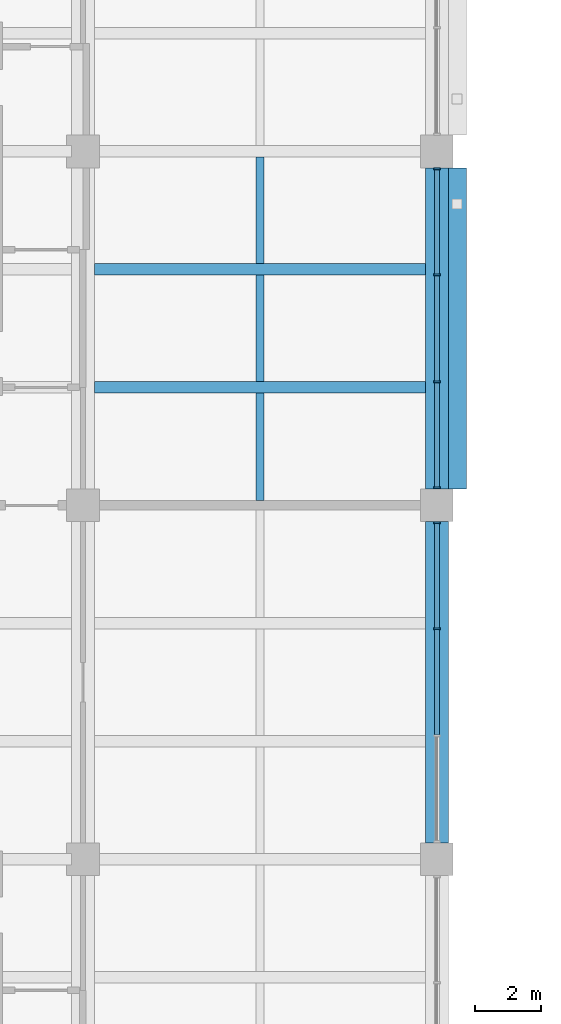
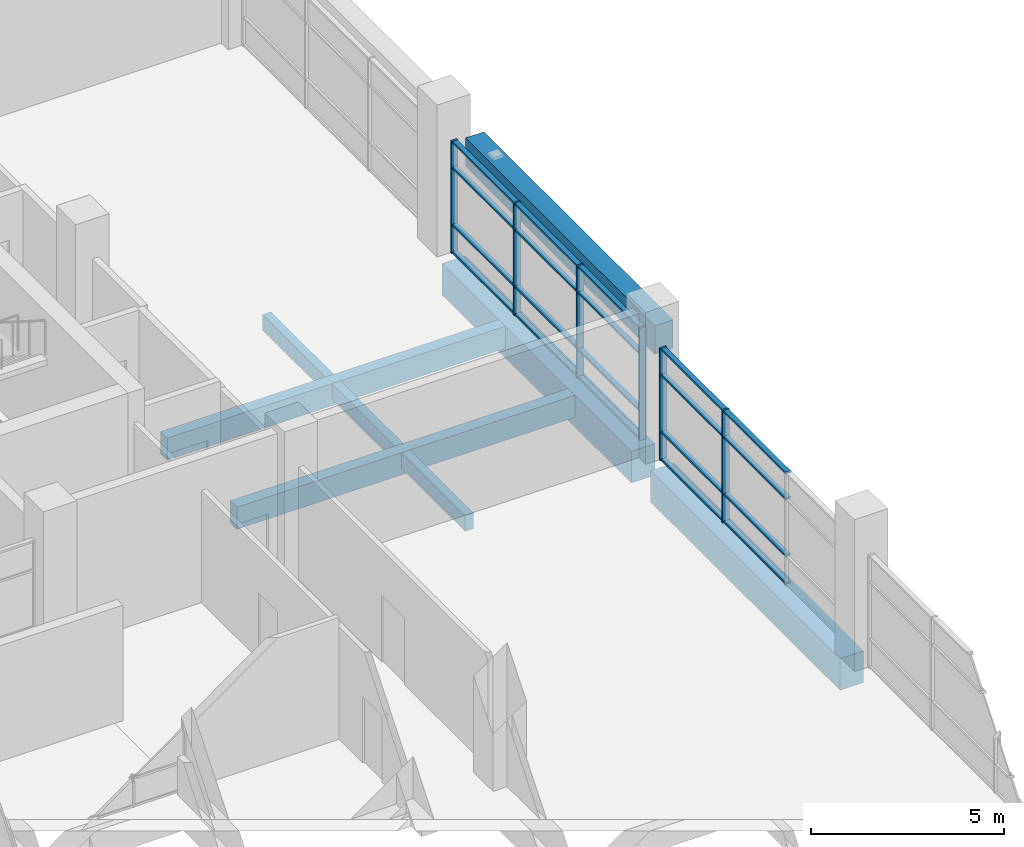
# One storey, part 4 of 44: 26 members, 8 beams, 2 elements without a shape of their own.
"""IFC4 building model written with IfcOpenShell, lengths in metres."""

from ifc_helpers import new_model, si_unit, direction, frame, origin, origin_2d, place, context, subcontext, project, spatial, rectangle, extrude, material, layer, layer_set, material_profile, profile_set, type_object, element, aggregate, save


model = new_model("IFC4")

# Units and contexts
model_context = context("Model", 3, precision=1e-05, world=origin(), true_north=direction((0.0, 1.0)))
body_context = subcontext(model_context, "Body", "Model", "MODEL_VIEW")
ifc_project = project(units=[si_unit("LENGTHUNIT", "METRE"), si_unit("AREAUNIT", "SQUARE_METRE"), si_unit("VOLUMEUNIT", "CUBIC_METRE"), si_unit("PLANEANGLEUNIT", "RADIAN"), si_unit("MASSUNIT", "GRAM", prefix="KILO")], contexts=[model_context])

# Site, building, storey
site_placement = place(None, origin())
site = spatial("IfcSite", under=ifc_project, at=site_placement, CompositionType="ELEMENT")
building_placement = place(site_placement, origin())
building = spatial("IfcBuilding", under=site, at=building_placement, Name="Basin Gate Institute", CompositionType="ELEMENT")
storey_placement = place(building_placement, frame((0.0, 0.0, 27.0)))
storey = spatial("IfcBuildingStorey", under=building, at=storey_placement, Name="L05", CompositionType="ELEMENT", Elevation=27.0)

# Beams
ifc_material_1 = material(Name="Concrete 40 MPa", Category="concrete")
ifc_material_profile_1 = material_profile(ifc_material_1, rectangle(XDim=0.35009765625, YDim=0.699951171875, at=origin_2d()), Name="Beam B1 350 x 700")
ifc_profile_set_1 = profile_set([ifc_material_profile_1], Name="Concrete 40 MPa")
beam_type_1 = type_object("IfcBeamType", Name="Beam B1 R120", PredefinedType="BEAM", material=ifc_profile_set_1)
for number, where, z_axis, x_axis, name in (
    (1, (68.75, 60.300048828125, -0.60009765625), (1.0, 0.0, 0.0), (0.0, 1.0, 0.0), "BEAM/L05/W/EW/08"),
    (2, (68.75, 63.89990234375, -0.60009765625), (1.0, 0.0, 0.0), (0.0, 1.0, 0.0), "BEAM/L05/W/EW/09"),
):
    element("IfcBeam", number, at=place(storey_placement, frame(where, z_axis=z_axis, x_axis=x_axis)), inside=storey, type_object=beam_type_1, material=ifc_profile_set_1, Name=name, PredefinedType="BEAM", context=body_context, shape_type="SweptSolid", body=[
        extrude(rectangle(XDim=0.35009765625, YDim=0.699951171875, at=origin_2d()), origin(), (0.0, 0.0, 1.0), 10.10009765625),
    ])
ifc_material_2 = material(Name="Concrete 50 MPa", Category="concrete")
ifc_material_profile_2 = material_profile(ifc_material_2, rectangle(XDim=0.550048828125, YDim=0.89990234375, at=origin_2d()), Name="Bridge bearing B5 550 x 900")
ifc_profile_set_2 = profile_set([ifc_material_profile_2], Name="Concrete 50 MPa")
beam_type_2 = type_object("IfcBeamType", Name="Bridge bearing B5 R120", PredefinedType="BEAM", material=ifc_profile_set_2)
beam_1_placement = place(storey_placement, frame((79.824951171875, 57.199951171875, 3.02197265625), z_axis=(0.0, 1.0, 0.0), x_axis=(-1.0, 0.0, 0.0)))
element("IfcBeam", 3, at=beam_1_placement, inside=storey, type_object=beam_type_2, material=ifc_profile_set_2, Name="Bridge bearing R120 L06 W1", PredefinedType="BEAM", context=body_context, shape_type="SweptSolid", body=[
    extrude(rectangle(XDim=0.550048828125, YDim=0.89990234375, at=origin_2d()), origin(), (0.0, 0.0, 1.0), 9.800048828125),
])
ifc_material_3 = material(Name="Concrete 50 MPa", Category="concrete")
ifc_material_profile_3 = material_profile(ifc_material_3, rectangle(XDim=0.699951171875, YDim=1.0, at=origin_2d()), Name="Girder G1 700 x 1000")
ifc_profile_set_3 = profile_set([ifc_material_profile_3], Name="Concrete 50 MPa")
beam_type_3 = type_object("IfcBeamType", Name="Girder G1 R120", PredefinedType="BEAM", material=ifc_profile_set_3)
for number, where, z_axis, x_axis, name in (
    (4, (79.199951171875, 46.39990234375, -0.75), (0.0, 1.0, 0.0), (-1.0, 0.0, 0.0), "GIR/L05/W6/2"),
    (5, (79.199951171875, 57.199951171875, -0.75), (0.0, 1.0, 0.0), (-1.0, 0.0, 0.0), "GIR/L05/W6/3"),
):
    element("IfcBeam", number, at=place(storey_placement, frame(where, z_axis=z_axis, x_axis=x_axis)), inside=storey, type_object=beam_type_3, material=ifc_profile_set_3, Name=name, PredefinedType="BEAM", context=body_context, shape_type="SweptSolid", body=[
        extrude(rectangle(XDim=0.699951171875, YDim=1.0, at=origin_2d()), origin(), (0.0, 0.0, 1.0), 9.800048828125),
    ])

# Curtain wall, members
ifc_material_4 = material(Name="Aluminium-framed glazing", Category="aluminium")
ifc_layer = layer(ifc_material_4, 0.199951171875)
ifc_layer_set = layer_set([ifc_layer], Name="Atrium curtain wall CW2")
curtain_wall_type = type_object("IfcCurtainWallType", Name="Atrium curtain wall CW2", PredefinedType="NOTDEFINED", material=ifc_layer_set)
curtain_wall_1_placement = place(storey_placement, origin())
curtain_wall_1 = element("IfcCurtainWall", 6, at=curtain_wall_1_placement, inside=storey, type_object=curtain_wall_type, material=ifc_layer_set, Name="Atrium curtain wall W wing atrium bay 2 L05", PredefinedType="NOTDEFINED")
ifc_material_5 = material(Name="Aluminium", Category="aluminium")
ifc_material_profile_4 = material_profile(ifc_material_5, rectangle(XDim=0.199951171875, YDim=0.06005859375, at=origin_2d()), Name="Mullion MU2 200 x 60")
ifc_profile_set_4 = profile_set([ifc_material_profile_4], Name="Aluminium")
member_type_1 = type_object("IfcMemberType", Name="Mullion MU2", PredefinedType="MULLION", material=ifc_profile_set_4)
member_1_placement = place(storey_placement, frame((79.199951171875, 52.933349609375, 0.0), z_axis=(0.0, 0.0, 1.0), x_axis=(-1.0, 0.0, 0.0)))
member_1 = element("IfcMember", 7, at=member_1_placement, type_object=member_type_1, material=ifc_profile_set_4, Name="CW2 mullion 3", PredefinedType="MULLION", context=body_context, shape_type="SweptSolid", body=[
    extrude(rectangle(XDim=0.199951171875, YDim=0.06005859375, at=origin_2d()), origin(), (0.0, 0.0, 1.0), 3.550048828125),
])
member_2_placement = place(storey_placement, frame((79.199951171875, 56.169921875, 0.0), z_axis=(0.0, 0.0, 1.0), x_axis=(-1.0, 0.0, 0.0)))
member_2 = element("IfcMember", 8, at=member_2_placement, type_object=member_type_1, material=ifc_profile_set_4, Name="CW2 mullion 4", PredefinedType="MULLION", context=body_context, shape_type="SweptSolid", body=[
    extrude(rectangle(XDim=0.199951171875, YDim=0.06005859375, at=origin_2d()), origin(), (0.0, 0.0, 1.0), 3.550048828125),
])

curtain_wall_2_placement = place(storey_placement, origin())
curtain_wall_2 = element("IfcCurtainWall", 9, at=curtain_wall_2_placement, inside=storey, type_object=curtain_wall_type, material=ifc_layer_set, Name="Atrium curtain wall W wing atrium bay 3 L05", PredefinedType="NOTDEFINED")
member_3_placement = place(storey_placement, frame((79.199951171875, 57.22998046875, 0.0), z_axis=(0.0, 0.0, 1.0), x_axis=(-1.0, 0.0, 0.0)))
member_3 = element("IfcMember", 10, at=member_3_placement, type_object=member_type_1, material=ifc_profile_set_4, Name="CW2 mullion 1", PredefinedType="MULLION", context=body_context, shape_type="SweptSolid", body=[
    extrude(rectangle(XDim=0.199951171875, YDim=0.06005859375, at=origin_2d()), origin(), (0.0, 0.0, 1.0), 3.550048828125),
])
member_4_placement = place(storey_placement, frame((79.199951171875, 60.466552734375, 0.0), z_axis=(0.0, 0.0, 1.0), x_axis=(-1.0, 0.0, 0.0)))
member_4 = element("IfcMember", 11, at=member_4_placement, type_object=member_type_1, material=ifc_profile_set_4, Name="CW2 mullion 2", PredefinedType="MULLION", context=body_context, shape_type="SweptSolid", body=[
    extrude(rectangle(XDim=0.199951171875, YDim=0.06005859375, at=origin_2d()), origin(), (0.0, 0.0, 1.0), 3.550048828125),
])
member_5_placement = place(storey_placement, frame((79.199951171875, 63.7333984375, 0.0), z_axis=(0.0, 0.0, 1.0), x_axis=(-1.0, 0.0, 0.0)))
member_5 = element("IfcMember", 12, at=member_5_placement, type_object=member_type_1, material=ifc_profile_set_4, Name="CW2 mullion 3", PredefinedType="MULLION", context=body_context, shape_type="SweptSolid", body=[
    extrude(rectangle(XDim=0.199951171875, YDim=0.06005859375, at=origin_2d()), origin(), (0.0, 0.0, 1.0), 3.550048828125),
])
member_6_placement = place(storey_placement, frame((79.199951171875, 66.969970703125, 0.0), z_axis=(0.0, 0.0, 1.0), x_axis=(-1.0, 0.0, 0.0)))
member_6 = element("IfcMember", 13, at=member_6_placement, type_object=member_type_1, material=ifc_profile_set_4, Name="CW2 mullion 4", PredefinedType="MULLION", context=body_context, shape_type="SweptSolid", body=[
    extrude(rectangle(XDim=0.199951171875, YDim=0.06005859375, at=origin_2d()), origin(), (0.0, 0.0, 1.0), 3.550048828125),
])

# Beams
ifc_material_6 = material(Name="Concrete 40 MPa", Category="concrete")
ifc_material_profile_5 = material_profile(ifc_material_6, rectangle(XDim=0.25, YDim=0.5, at=origin_2d()), Name="Rib R1 250 x 500")
ifc_profile_set_5 = profile_set([ifc_material_profile_5], Name="Concrete 40 MPa")
beam_type_4 = type_object("IfcBeamType", Name="Rib R1 R120", PredefinedType="JOIST", material=ifc_profile_set_5)
beam_2_placement = place(storey_placement, frame((73.800048828125, 56.85009765625, -0.5), z_axis=(0.0, 1.0, 0.0), x_axis=(-1.0, 0.0, 0.0)))
element("IfcBeam", 14, at=beam_2_placement, inside=storey, type_object=beam_type_4, material=ifc_profile_set_5, Name="BEAM/L05/W/RIB/07", PredefinedType="JOIST", context=body_context, shape_type="SweptSolid", body=[
    extrude(rectangle(XDim=0.25, YDim=0.5, at=origin_2d()), origin(), (0.0, 0.0, 1.0), 3.27490234375),
])
for number, where, z_axis, x_axis, name in (
    (15, (73.800048828125, 60.47509765625, -0.5), (0.0, 1.0, 0.0), (-1.0, 0.0, 0.0), "BEAM/L05/W/RIB/08"),
    (16, (73.800048828125, 64.074951171875, -0.5), (0.0, 1.0, 0.0), (-1.0, 0.0, 0.0), "BEAM/L05/W/RIB/09"),
):
    element("IfcBeam", number, at=place(storey_placement, frame(where, z_axis=z_axis, x_axis=x_axis)), inside=storey, type_object=beam_type_4, material=ifc_profile_set_5, Name=name, PredefinedType="JOIST", context=body_context, shape_type="SweptSolid", body=[
        extrude(rectangle(XDim=0.25, YDim=0.5, at=origin_2d()), origin(), (0.0, 0.0, 1.0), 3.25),
    ])

# Member
ifc_material_7 = material(Name="Aluminium", Category="aluminium")
ifc_material_profile_6 = material_profile(ifc_material_7, rectangle(XDim=0.14990234375, YDim=0.06005859375, at=origin_2d()), Name="Transom TR2 150 x 60")
ifc_profile_set_6 = profile_set([ifc_material_profile_6], Name="Aluminium")
member_type_2 = type_object("IfcMemberType", Name="Transom TR2", PredefinedType="USERDEFINED", material=ifc_profile_set_6)
member_7_placement = place(storey_placement, frame((79.199951171875, 49.69677734375, 0.030029296875), z_axis=(0.0, 1.0, 0.0), x_axis=(-1.0, 0.0, 0.0)))
member_7 = element("IfcMember", 17, at=member_7_placement, type_object=member_type_2, material=ifc_profile_set_6, Name="CW2 transom 2.1", ObjectType="TRANSOM", PredefinedType="USERDEFINED", context=body_context, shape_type="SweptSolid", body=[
    extrude(rectangle(XDim=0.14990234375, YDim=0.06005859375, at=origin_2d()), origin(), (0.0, 0.0, 1.0), 3.20654296875),
])

member_8_placement = place(storey_placement, frame((79.199951171875, 49.69677734375, 0.89990234375), z_axis=(0.0, 1.0, 0.0), x_axis=(-1.0, 0.0, 0.0)))
member_8 = element("IfcMember", 18, at=member_8_placement, type_object=member_type_2, material=ifc_profile_set_6, Name="CW2 transom 2.2", ObjectType="TRANSOM", PredefinedType="USERDEFINED", context=body_context, shape_type="SweptSolid", body=[
    extrude(rectangle(XDim=0.14990234375, YDim=0.06005859375, at=origin_2d()), origin(), (0.0, 0.0, 1.0), 3.20654296875),
])

member_9_placement = place(storey_placement, frame((79.199951171875, 49.69677734375, 2.699951171875), z_axis=(0.0, 1.0, 0.0), x_axis=(-1.0, 0.0, 0.0)))
member_9 = element("IfcMember", 19, at=member_9_placement, type_object=member_type_2, material=ifc_profile_set_6, Name="CW2 transom 2.3", ObjectType="TRANSOM", PredefinedType="USERDEFINED", context=body_context, shape_type="SweptSolid", body=[
    extrude(rectangle(XDim=0.14990234375, YDim=0.06005859375, at=origin_2d()), origin(), (0.0, 0.0, 1.0), 3.20654296875),
])

member_10_placement = place(storey_placement, frame((79.199951171875, 49.69677734375, 3.52001953125), z_axis=(0.0, 1.0, 0.0), x_axis=(-1.0, 0.0, 0.0)))
member_10 = element("IfcMember", 20, at=member_10_placement, type_object=member_type_2, material=ifc_profile_set_6, Name="CW2 transom 2.4", ObjectType="TRANSOM", PredefinedType="USERDEFINED", context=body_context, shape_type="SweptSolid", body=[
    extrude(rectangle(XDim=0.14990234375, YDim=0.06005859375, at=origin_2d()), origin(), (0.0, 0.0, 1.0), 3.20654296875),
])

member_11_placement = place(storey_placement, frame((79.199951171875, 52.96337890625, 0.030029296875), z_axis=(0.0, 1.0, 0.0), x_axis=(-1.0, 0.0, 0.0)))
member_11 = element("IfcMember", 21, at=member_11_placement, type_object=member_type_2, material=ifc_profile_set_6, Name="CW2 transom 3.1", ObjectType="TRANSOM", PredefinedType="USERDEFINED", context=body_context, shape_type="SweptSolid", body=[
    extrude(rectangle(XDim=0.14990234375, YDim=0.06005859375, at=origin_2d()), origin(), (0.0, 0.0, 1.0), 3.176513671875),
])

member_12_placement = place(storey_placement, frame((79.199951171875, 52.96337890625, 0.89990234375), z_axis=(0.0, 1.0, 0.0), x_axis=(-1.0, 0.0, 0.0)))
member_12 = element("IfcMember", 22, at=member_12_placement, type_object=member_type_2, material=ifc_profile_set_6, Name="CW2 transom 3.2", ObjectType="TRANSOM", PredefinedType="USERDEFINED", context=body_context, shape_type="SweptSolid", body=[
    extrude(rectangle(XDim=0.14990234375, YDim=0.06005859375, at=origin_2d()), origin(), (0.0, 0.0, 1.0), 3.176513671875),
])

member_13_placement = place(storey_placement, frame((79.199951171875, 52.96337890625, 2.699951171875), z_axis=(0.0, 1.0, 0.0), x_axis=(-1.0, 0.0, 0.0)))
member_13 = element("IfcMember", 23, at=member_13_placement, type_object=member_type_2, material=ifc_profile_set_6, Name="CW2 transom 3.3", ObjectType="TRANSOM", PredefinedType="USERDEFINED", context=body_context, shape_type="SweptSolid", body=[
    extrude(rectangle(XDim=0.14990234375, YDim=0.06005859375, at=origin_2d()), origin(), (0.0, 0.0, 1.0), 3.176513671875),
])

member_14_placement = place(storey_placement, frame((79.199951171875, 52.96337890625, 3.52001953125), z_axis=(0.0, 1.0, 0.0), x_axis=(-1.0, 0.0, 0.0)))
member_14 = element("IfcMember", 24, at=member_14_placement, type_object=member_type_2, material=ifc_profile_set_6, Name="CW2 transom 3.4", ObjectType="TRANSOM", PredefinedType="USERDEFINED", context=body_context, shape_type="SweptSolid", body=[
    extrude(rectangle(XDim=0.14990234375, YDim=0.06005859375, at=origin_2d()), origin(), (0.0, 0.0, 1.0), 3.176513671875),
])

aggregate(curtain_wall_1, [member_1, member_2, member_7, member_8, member_9, member_10, member_11, member_12, member_13, member_14])

member_15_placement = place(storey_placement, frame((79.199951171875, 57.260009765625, 0.030029296875), z_axis=(0.0, 1.0, 0.0), x_axis=(-1.0, 0.0, 0.0)))
member_15 = element("IfcMember", 25, at=member_15_placement, type_object=member_type_2, material=ifc_profile_set_6, Name="CW2 transom 1.1", ObjectType="TRANSOM", PredefinedType="USERDEFINED", context=body_context, shape_type="SweptSolid", body=[
    extrude(rectangle(XDim=0.14990234375, YDim=0.06005859375, at=origin_2d()), origin(), (0.0, 0.0, 1.0), 3.1767578125),
])

member_16_placement = place(storey_placement, frame((79.199951171875, 57.260009765625, 0.89990234375), z_axis=(0.0, 1.0, 0.0), x_axis=(-1.0, 0.0, 0.0)))
member_16 = element("IfcMember", 26, at=member_16_placement, type_object=member_type_2, material=ifc_profile_set_6, Name="CW2 transom 1.2", ObjectType="TRANSOM", PredefinedType="USERDEFINED", context=body_context, shape_type="SweptSolid", body=[
    extrude(rectangle(XDim=0.14990234375, YDim=0.06005859375, at=origin_2d()), origin(), (0.0, 0.0, 1.0), 3.1767578125),
])

member_17_placement = place(storey_placement, frame((79.199951171875, 57.260009765625, 2.699951171875), z_axis=(0.0, 1.0, 0.0), x_axis=(-1.0, 0.0, 0.0)))
member_17 = element("IfcMember", 27, at=member_17_placement, type_object=member_type_2, material=ifc_profile_set_6, Name="CW2 transom 1.3", ObjectType="TRANSOM", PredefinedType="USERDEFINED", context=body_context, shape_type="SweptSolid", body=[
    extrude(rectangle(XDim=0.14990234375, YDim=0.06005859375, at=origin_2d()), origin(), (0.0, 0.0, 1.0), 3.1767578125),
])

member_18_placement = place(storey_placement, frame((79.199951171875, 57.260009765625, 3.52001953125), z_axis=(0.0, 1.0, 0.0), x_axis=(-1.0, 0.0, 0.0)))
member_18 = element("IfcMember", 28, at=member_18_placement, type_object=member_type_2, material=ifc_profile_set_6, Name="CW2 transom 1.4", ObjectType="TRANSOM", PredefinedType="USERDEFINED", context=body_context, shape_type="SweptSolid", body=[
    extrude(rectangle(XDim=0.14990234375, YDim=0.06005859375, at=origin_2d()), origin(), (0.0, 0.0, 1.0), 3.1767578125),
])

member_19_placement = place(storey_placement, frame((79.199951171875, 60.49658203125, 0.030029296875), z_axis=(0.0, 1.0, 0.0), x_axis=(-1.0, 0.0, 0.0)))
member_19 = element("IfcMember", 29, at=member_19_placement, type_object=member_type_2, material=ifc_profile_set_6, Name="CW2 transom 2.1", ObjectType="TRANSOM", PredefinedType="USERDEFINED", context=body_context, shape_type="SweptSolid", body=[
    extrude(rectangle(XDim=0.14990234375, YDim=0.06005859375, at=origin_2d()), origin(), (0.0, 0.0, 1.0), 3.206787109375),
])

member_20_placement = place(storey_placement, frame((79.199951171875, 60.49658203125, 0.89990234375), z_axis=(0.0, 1.0, 0.0), x_axis=(-1.0, 0.0, 0.0)))
member_20 = element("IfcMember", 30, at=member_20_placement, type_object=member_type_2, material=ifc_profile_set_6, Name="CW2 transom 2.2", ObjectType="TRANSOM", PredefinedType="USERDEFINED", context=body_context, shape_type="SweptSolid", body=[
    extrude(rectangle(XDim=0.14990234375, YDim=0.06005859375, at=origin_2d()), origin(), (0.0, 0.0, 1.0), 3.206787109375),
])

member_21_placement = place(storey_placement, frame((79.199951171875, 60.49658203125, 2.699951171875), z_axis=(0.0, 1.0, 0.0), x_axis=(-1.0, 0.0, 0.0)))
member_21 = element("IfcMember", 31, at=member_21_placement, type_object=member_type_2, material=ifc_profile_set_6, Name="CW2 transom 2.3", ObjectType="TRANSOM", PredefinedType="USERDEFINED", context=body_context, shape_type="SweptSolid", body=[
    extrude(rectangle(XDim=0.14990234375, YDim=0.06005859375, at=origin_2d()), origin(), (0.0, 0.0, 1.0), 3.206787109375),
])

member_22_placement = place(storey_placement, frame((79.199951171875, 60.49658203125, 3.52001953125), z_axis=(0.0, 1.0, 0.0), x_axis=(-1.0, 0.0, 0.0)))
member_22 = element("IfcMember", 32, at=member_22_placement, type_object=member_type_2, material=ifc_profile_set_6, Name="CW2 transom 2.4", ObjectType="TRANSOM", PredefinedType="USERDEFINED", context=body_context, shape_type="SweptSolid", body=[
    extrude(rectangle(XDim=0.14990234375, YDim=0.06005859375, at=origin_2d()), origin(), (0.0, 0.0, 1.0), 3.206787109375),
])

member_23_placement = place(storey_placement, frame((79.199951171875, 63.763427734375, 0.030029296875), z_axis=(0.0, 1.0, 0.0), x_axis=(-1.0, 0.0, 0.0)))
member_23 = element("IfcMember", 33, at=member_23_placement, type_object=member_type_2, material=ifc_profile_set_6, Name="CW2 transom 3.1", ObjectType="TRANSOM", PredefinedType="USERDEFINED", context=body_context, shape_type="SweptSolid", body=[
    extrude(rectangle(XDim=0.14990234375, YDim=0.06005859375, at=origin_2d()), origin(), (0.0, 0.0, 1.0), 3.176513671875),
])

member_24_placement = place(storey_placement, frame((79.199951171875, 63.763427734375, 0.89990234375), z_axis=(0.0, 1.0, 0.0), x_axis=(-1.0, 0.0, 0.0)))
member_24 = element("IfcMember", 34, at=member_24_placement, type_object=member_type_2, material=ifc_profile_set_6, Name="CW2 transom 3.2", ObjectType="TRANSOM", PredefinedType="USERDEFINED", context=body_context, shape_type="SweptSolid", body=[
    extrude(rectangle(XDim=0.14990234375, YDim=0.06005859375, at=origin_2d()), origin(), (0.0, 0.0, 1.0), 3.176513671875),
])

member_25_placement = place(storey_placement, frame((79.199951171875, 63.763427734375, 2.699951171875), z_axis=(0.0, 1.0, 0.0), x_axis=(-1.0, 0.0, 0.0)))
member_25 = element("IfcMember", 35, at=member_25_placement, type_object=member_type_2, material=ifc_profile_set_6, Name="CW2 transom 3.3", ObjectType="TRANSOM", PredefinedType="USERDEFINED", context=body_context, shape_type="SweptSolid", body=[
    extrude(rectangle(XDim=0.14990234375, YDim=0.06005859375, at=origin_2d()), origin(), (0.0, 0.0, 1.0), 3.176513671875),
])

member_26_placement = place(storey_placement, frame((79.199951171875, 63.763427734375, 3.52001953125), z_axis=(0.0, 1.0, 0.0), x_axis=(-1.0, 0.0, 0.0)))
member_26 = element("IfcMember", 36, at=member_26_placement, type_object=member_type_2, material=ifc_profile_set_6, Name="CW2 transom 3.4", ObjectType="TRANSOM", PredefinedType="USERDEFINED", context=body_context, shape_type="SweptSolid", body=[
    extrude(rectangle(XDim=0.14990234375, YDim=0.06005859375, at=origin_2d()), origin(), (0.0, 0.0, 1.0), 3.176513671875),
])

aggregate(curtain_wall_2, [member_3, member_4, member_5, member_6, member_15, member_16, member_17, member_18, member_19, member_20, member_21, member_22, member_23, member_24, member_25, member_26])

save(model, "model.ifc")
